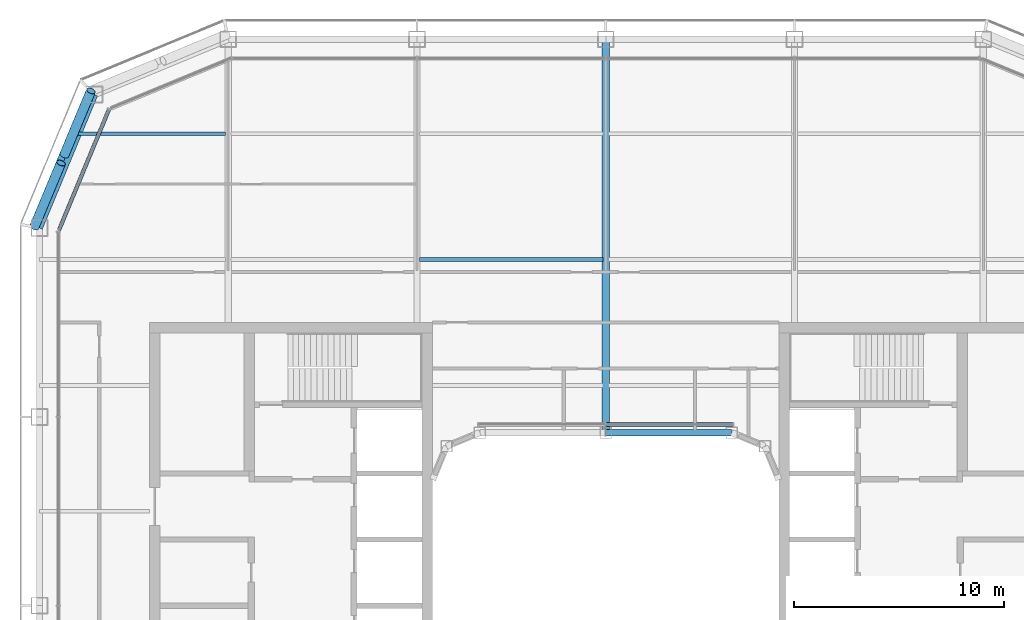
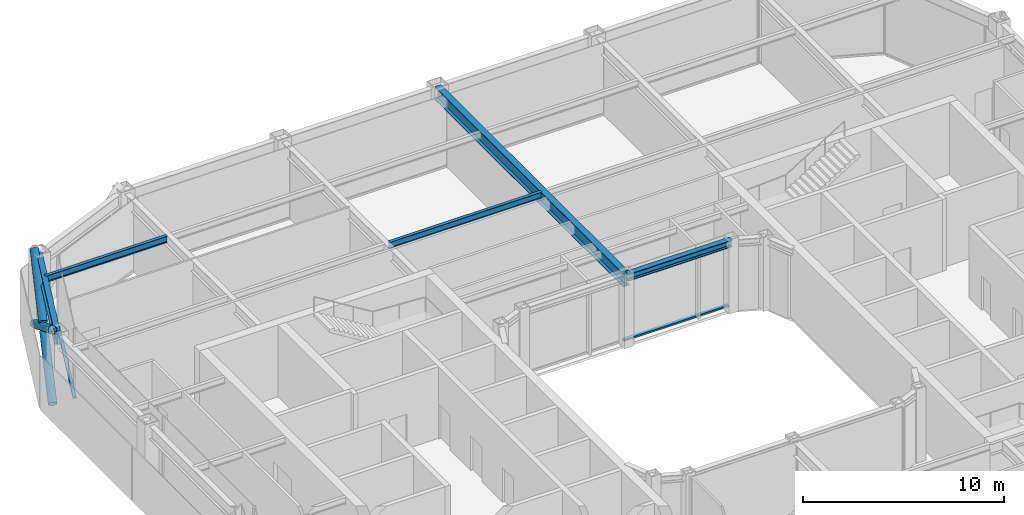
# One storey, part 7 of 22: 5 beams, 5 members, 2 elements without a shape of their own.
"""IFC4 building model written with IfcOpenShell, lengths in metres."""

from ifc_helpers import new_model, si_unit, direction, frame, origin, origin_2d, place, context, subcontext, project, spatial, rectangle, hollow_circle, i_section, extrude, material, layer, layer_set, material_profile, profile_set, type_object, element, aggregate, save


model = new_model("IFC4")

# Units and contexts
model_context = context("Model", 3, precision=1e-05, world=origin(), true_north=direction((0.0, 1.0)))
body_context = subcontext(model_context, "Body", "Model", "MODEL_VIEW")
ifc_project = project(units=[si_unit("LENGTHUNIT", "METRE"), si_unit("AREAUNIT", "SQUARE_METRE"), si_unit("VOLUMEUNIT", "CUBIC_METRE"), si_unit("PLANEANGLEUNIT", "RADIAN"), si_unit("MASSUNIT", "GRAM", prefix="KILO")], contexts=[model_context])

# Site, building, storey
site_placement = place(None, origin())
site = spatial("IfcSite", under=ifc_project, at=site_placement, CompositionType="ELEMENT")
building_placement = place(site_placement, origin())
building = spatial("IfcBuilding", under=site, at=building_placement, Name="Siwar Civic Tower", CompositionType="ELEMENT")
storey_placement = place(building_placement, frame((0.0, 0.0, 255.699951171875)))
storey = spatial("IfcBuildingStorey", under=building, at=storey_placement, Name="L55", CompositionType="ELEMENT", Elevation=255.699951171875)

# Curtain wall, member
ifc_material_1 = material(Name="Aluminium clad insulated panel", Category="aluminium")
ifc_layer_1 = layer(ifc_material_1, 0.179931640625)
ifc_layer_set_1 = layer_set([ifc_layer_1], Name="Aluminium clad insulated panel")
curtain_wall_type_1 = type_object("IfcCurtainWallType", Name="ENV-CW-CX", PredefinedType="NOTDEFINED", material=ifc_layer_set_1)
curtain_wall_1_placement = place(storey_placement, origin())
curtain_wall_1 = element("IfcCurtainWall", 1, at=curtain_wall_1_placement, inside=storey, type_object=curtain_wall_type_1, Name="Curtain wall C NW2", PredefinedType="NOTDEFINED")
ifc_material_2 = material(Name="Aluminium 6063-T6", Category="aluminium")
ifc_material_profile_1 = material_profile(ifc_material_2, rectangle(XDim=0.179931640625, YDim=0.10009765625, at=origin_2d()), Name="AL 180x100")
ifc_profile_set_1 = profile_set([ifc_material_profile_1], Name="Aluminium 6063-T6")
member_type_1 = type_object("IfcMemberType", Name="ENV-TRANSOM-C", PredefinedType="USERDEFINED", material=ifc_profile_set_1)
member_1_placement = place(storey_placement, frame((-23.6865234375, 23.6474609375, 0.050048828125), z_axis=(-0.382691366456, -0.923876246063, 0.0), x_axis=(0.923876246063, -0.382691366456, 0.0)))
member_1 = element("IfcMember", 2, at=member_1_placement, type_object=member_type_1, Name="Transom C NW2 1", ObjectType="TRANSOM", PredefinedType="USERDEFINED", context=body_context, shape_type="SweptSolid", body=[
    extrude(rectangle(XDim=0.179931640625, YDim=0.10009765625, at=origin_2d()), origin(), (0.0, 0.0, 1.0), 6.20166015625),
])
aggregate(curtain_wall_1, [member_1])

ifc_material_3 = material(Name="Aluminium and glass", Category="aluminium")
ifc_layer_2 = layer(ifc_material_3, 0.179931640625)
ifc_layer_set_2 = layer_set([ifc_layer_2], Name="Aluminium and glass")
curtain_wall_type_2 = type_object("IfcCurtainWallType", Name="ENV-CW-W", PredefinedType="NOTDEFINED", material=ifc_layer_set_2)
curtain_wall_2_placement = place(storey_placement, origin())
curtain_wall_2 = element("IfcCurtainWall", 3, at=curtain_wall_2_placement, inside=storey, type_object=curtain_wall_type_2, Name="Curtain wall W WN", PredefinedType="NOTDEFINED")
ifc_material_4 = material(Name="Aluminium 6063-T6", Category="aluminium")
ifc_material_profile_2 = material_profile(ifc_material_4, rectangle(XDim=0.179931640625, YDim=0.10009765625, at=origin_2d()), Name="AL 180x100")
ifc_profile_set_2 = profile_set([ifc_material_profile_2], Name="Aluminium 6063-T6")
member_type_2 = type_object("IfcMemberType", Name="ENV-TRANSOM-W", PredefinedType="USERDEFINED", material=ifc_profile_set_2)
member_2_placement = place(storey_placement, frame((6.046630859375, 8.635009765625, 0.050048828125), z_axis=(-1.0, 0.0, 0.0), x_axis=(0.0, -1.0, 0.0)))
member_2 = element("IfcMember", 4, at=member_2_placement, type_object=member_type_2, Name="Transom W WN 1", ObjectType="TRANSOM", PredefinedType="USERDEFINED", context=body_context, shape_type="SweptSolid", body=[
    extrude(rectangle(XDim=0.179931640625, YDim=0.10009765625, at=origin_2d()), origin(), (0.0, 0.0, 1.0), 6.0166015625),
])
aggregate(curtain_wall_2, [member_2])

# Members
ifc_material_5 = material(Name="Steel S355", Category="steel")
ifc_material_profile_3 = material_profile(ifc_material_5, hollow_circle(Radius=0.228515625, WallThickness=0.02001953125, at=origin_2d()), Name="CHS457x20")
ifc_profile_set_3 = profile_set([ifc_material_profile_3], Name="Steel S355")
member_type_3 = type_object("IfcMemberType", Name="STR-BR-CHS457x20", PredefinedType="BRACE", material=ifc_profile_set_3)
member_3_placement = place(storey_placement, frame((-24.540771484375, 24.540771484375, 0.0), z_axis=(-0.323905527954, -0.777554562952, 0.538975055633), x_axis=(0.923108759191, -0.384538969033, 0.0)))
element("IfcMember", 5, at=member_3_placement, inside=storey, type_object=member_type_3, Name="L55/brc/CNW1-15-0-1", PredefinedType="BRACE", context=body_context, shape_type="SweptSolid", body=[
    extrude(hollow_circle(Radius=0.228515625, WallThickness=0.02001953125, at=origin_2d()), origin(), (0.0, 0.0, 1.0), 8.34912109375),
])
for number, where, z_axis, x_axis, name in (
    (6, (-27.2451171875, 18.048828125, 0.0), (0.323884455881, 0.777546448489, 0.538999424564), (-0.92311621485, 0.38452107079, 0.0), "L55/brc/CNW1-15-0-2"),
    (7, (-25.81298828125, 21.486572265625, 2.383056640625), (0.323895306243, 0.777572496853, 0.538955325357), (-0.92311621485, 0.38452107079, 0.0), "L55/brc/CNW1-15-0-3"),
):
    element("IfcMember", number, at=place(storey_placement, frame(where, z_axis=z_axis, x_axis=x_axis)), inside=storey, type_object=member_type_3, Name=name, PredefinedType="BRACE", context=body_context, shape_type="SweptSolid", body=[
        extrude(hollow_circle(Radius=0.228515625, WallThickness=0.02001953125, at=origin_2d()), origin(), (0.0, 0.0, 1.0), 3.927978515625),
    ])

# Beams
ifc_material_6 = material(Name="Steel S355", Category="steel")
ifc_material_profile_4 = material_profile(ifc_material_6, i_section(OverallWidth=0.179931640625, OverallDepth=0.39990234375, WebThickness=0.008544921875, FlangeThickness=0.013427734375, FilletRadius=0.02099609375, at=origin_2d()), Name="IPE400")
ifc_profile_set_4 = profile_set([ifc_material_profile_4], Name="Steel S355")
beam_type_1 = type_object("IfcBeamType", Name="STR-FB-IPE400", PredefinedType="JOIST", material=ifc_profile_set_4)
beam_1_placement = place(storey_placement, frame((-8.8701171875, 16.5, 4.150146484375), z_axis=(1.0, 0.0, 0.0), x_axis=(0.0, 1.0, 0.0)))
element("IfcBeam", 8, at=beam_1_placement, inside=storey, type_object=beam_type_1, Name="L55/bm/F033", PredefinedType="JOIST", context=body_context, shape_type="SweptSolid", body=[
    extrude(i_section(OverallWidth=0.179931640625, OverallDepth=0.39990234375, WebThickness=0.008544921875, FlangeThickness=0.013427734375, FilletRadius=0.02099609375, at=origin_2d()), origin(), (0.0, 0.0, 1.0), 8.740234375),
])
beam_2_placement = place(storey_placement, frame((-25.135986328125, 22.5, 4.150146484375), z_axis=(1.0, 0.0, 0.0), x_axis=(0.0, 1.0, 0.0)))
element("IfcBeam", 9, at=beam_2_placement, inside=storey, type_object=beam_type_1, Name="L55/bm/F037", PredefinedType="JOIST", context=body_context, shape_type="SweptSolid", body=[
    extrude(i_section(OverallWidth=0.179931640625, OverallDepth=0.39990234375, WebThickness=0.008544921875, FlangeThickness=0.013427734375, FilletRadius=0.02099609375, at=origin_2d()), origin(), (0.0, 0.0, 1.0), 7.006103515625),
])
ifc_material_7 = material(Name="Steel S355", Category="steel")
ifc_material_profile_5 = material_profile(ifc_material_7, i_section(OverallWidth=0.360107421875, OverallDepth=0.800048828125, WebThickness=0.013916015625, FlangeThickness=0.031982421875, at=origin_2d()), Name="PG800x360x14x32")
ifc_profile_set_5 = profile_set([ifc_material_profile_5], Name="Steel S355")
beam_type_2 = type_object("IfcBeamType", Name="STR-PG-PG800x360x14x32", PredefinedType="BEAM", material=ifc_profile_set_5)
beam_3_placement = place(storey_placement, frame((0.0, 8.25, 3.949951171875), z_axis=(0.0, 1.0, 0.0), x_axis=(-1.0, 0.0, 0.0)))
element("IfcBeam", 10, at=beam_3_placement, inside=storey, type_object=beam_type_2, Name="L55/bm/G06", PredefinedType="BEAM", context=body_context, shape_type="SweptSolid", body=[
    extrude(i_section(OverallWidth=0.360107421875, OverallDepth=0.800048828125, WebThickness=0.013916015625, FlangeThickness=0.031982421875, at=origin_2d()), origin(), (0.0, 0.0, 1.0), 18.75),
])
ifc_material_8 = material(Name="Steel S355", Category="steel")
ifc_material_profile_6 = material_profile(ifc_material_8, i_section(OverallWidth=0.306884765625, OverallDepth=0.431884765625, WebThickness=0.02099609375, FlangeThickness=0.0400390625, FilletRadius=0.027099609375, at=origin_2d()), Name="HEM400")
ifc_profile_set_6 = profile_set([ifc_material_profile_6], Name="Steel S355")
beam_type_3 = type_object("IfcBeamType", Name="STR-RB-HEM400", PredefinedType="BEAM", material=ifc_profile_set_6)
beam_4_placement = place(storey_placement, frame((0.0, 8.25, 4.134033203125), z_axis=(1.0, 0.0, 0.0), x_axis=(0.0, 1.0, 0.0)))
element("IfcBeam", 11, at=beam_4_placement, inside=storey, type_object=beam_type_3, Name="L55/bm/RN2", PredefinedType="BEAM", context=body_context, shape_type="SweptSolid", body=[
    extrude(i_section(OverallWidth=0.306884765625, OverallDepth=0.431884765625, WebThickness=0.02099609375, FlangeThickness=0.0400390625, FilletRadius=0.027099609375, at=origin_2d()), origin(), (0.0, 0.0, 1.0), 6.0),
])
ifc_material_9 = material(Name="Steel S355", Category="steel")
ifc_material_profile_7 = material_profile(ifc_material_9, i_section(OverallWidth=0.300048828125, OverallDepth=0.800048828125, WebThickness=0.017578125, FlangeThickness=0.032958984375, FilletRadius=0.030029296875, at=origin_2d()), Name="HEB800")
ifc_profile_set_7 = profile_set([ifc_material_profile_7], Name="Steel S355")
beam_type_4 = type_object("IfcBeamType", Name="STR-SB-HEB800", PredefinedType="BEAM", material=ifc_profile_set_7)
beam_5_placement = place(storey_placement, frame((-24.364013671875, 24.364013671875, 3.949951171875), z_axis=(-0.382674207535, -0.923883353507, 0.0), x_axis=(0.923883353507, -0.382674207535, 0.0)))
element("IfcBeam", 12, at=beam_5_placement, inside=storey, type_object=beam_type_4, Name="L55/bm/SNW2-0", PredefinedType="BEAM", context=body_context, shape_type="SweptSolid", body=[
    extrude(i_section(OverallWidth=0.300048828125, OverallDepth=0.800048828125, WebThickness=0.017578125, FlangeThickness=0.032958984375, FilletRadius=0.030029296875, at=origin_2d()), origin(), (0.0, 0.0, 1.0), 6.888427734375),
])

save(model, "model.ifc")
